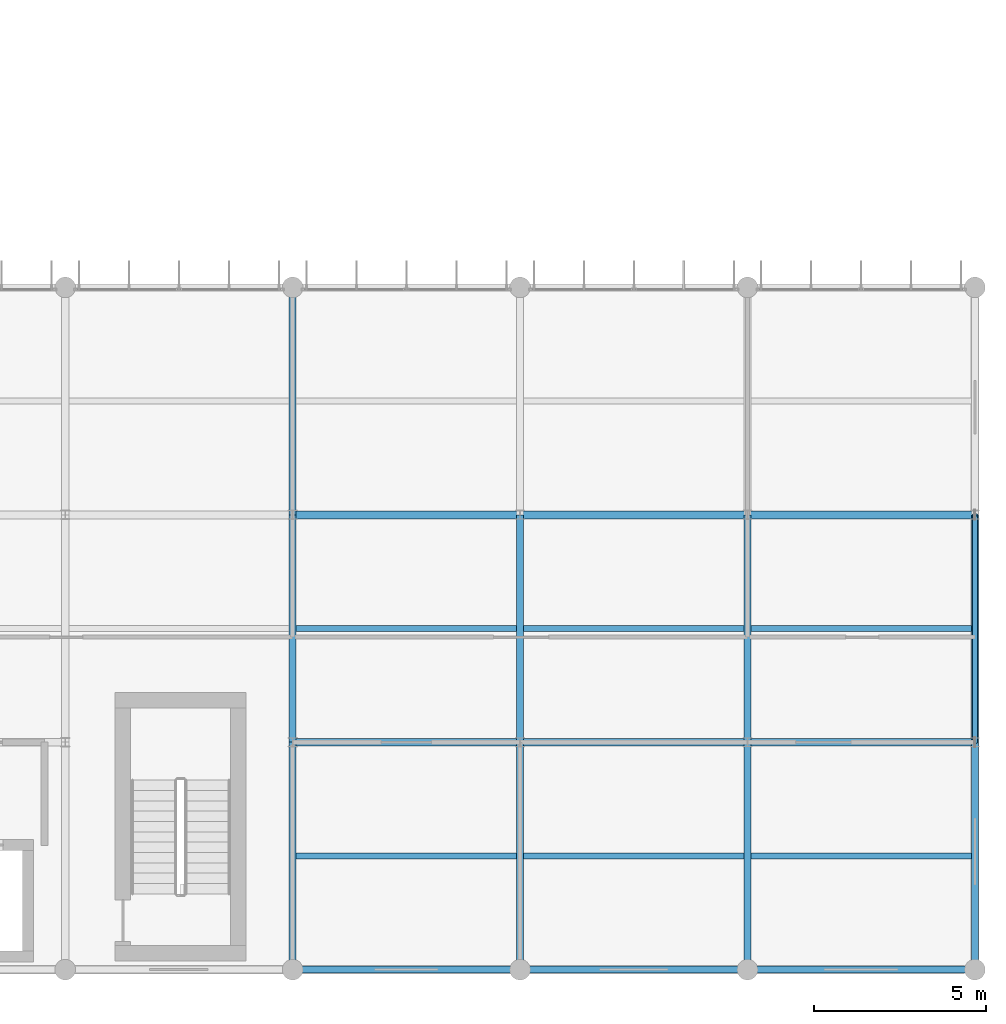
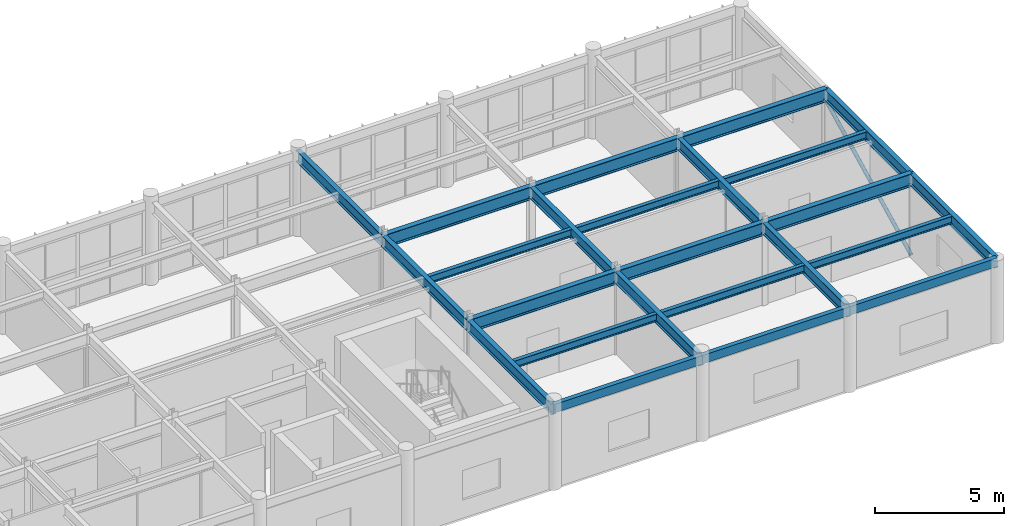
# One storey, part 41 of 66: 24 beams, 1 member.
"""IFC4 building model written with IfcOpenShell, lengths in metres."""

import ifcopenshell
import ifcopenshell.guid

model = None  # the IFC model being written
_history = None  # IfcOwnerHistory: only IFC2X3 demands one
_inside = {}  # id of a spatial element -> (the spatial element, [elements in it])
_under = {}  # id of a project, library or spatial element -> (it, [spatial elements below it])
_declared = {}  # id of a project -> (the project, [libraries it declares])
_typed = {}  # id of a type object -> (the type object, [elements of that type])
_made_of = {}  # id of a material, layer set ... -> (it, [elements and type objects made of it])


def new_model(schema):
    """Start an empty IFC model of exactly this schema.

    Asked for "IFC4X3", IfcOpenShell would pick the latest addendum, in which some entities
    have other attributes; the version numbers below select the first issue.
    IFC2X3 requires an IfcOwnerHistory on every rooted entity: one is made here for all.
    """
    global model, _history
    if schema == "IFC4X3":
        model = ifcopenshell.file(schema_version=(4, 3, 0, 0))
    else:
        model = ifcopenshell.file(schema=schema)
    _inside.clear()
    _under.clear()
    _declared.clear()
    _typed.clear()
    _made_of.clear()
    _history = None
    if model.schema == "IFC2X3":
        org = make("IfcOrganization", Name="unknown")
        user = make(
            "IfcPersonAndOrganization",
            ThePerson=make("IfcPerson", FamilyName="unknown"),
            TheOrganization=org,
        )
        app = make(
            "IfcApplication",
            ApplicationDeveloper=org,
            Version="unknown",
            ApplicationFullName="unknown",
            ApplicationIdentifier="unknown",
        )
        _history = make(
            "IfcOwnerHistory",
            OwningUser=user,
            OwningApplication=app,
            ChangeAction="ADDED",
            CreationDate=0,
        )
    return model


def make(cls, **values):
    """One entity of the class cls with the attributes given. An attribute that is None is left unset."""
    return model.create_entity(
        cls, **{name: value for name, value in values.items() if value is not None}
    )


def rooted(cls, **values):
    """An entity with a GlobalId (a new one), such as an element, a storey or a relation."""
    return make(cls, GlobalId=ifcopenshell.guid.new(), OwnerHistory=_history, **values)


def si_unit(unit_type, name, prefix=None):
    """IfcSIUnit, for example si_unit("LENGTHUNIT", "METRE", prefix="MILLI")."""
    return make("IfcSIUnit", UnitType=unit_type, Prefix=prefix, Name=name)


def assignment(units):
    """IfcUnitAssignment: the units of a project."""
    return None if units is None else make("IfcUnitAssignment", Units=units)


def point(xyz):
    """IfcCartesianPoint."""
    return None if xyz is None else make("IfcCartesianPoint", Coordinates=xyz)


def direction(xyz):
    """IfcDirection."""
    return None if xyz is None else make("IfcDirection", DirectionRatios=xyz)


def frame(location, z_axis=None, x_axis=None):
    """IfcAxis2Placement3D, a coordinate frame: its origin and axes. An axis left out is left unset."""
    return make(
        "IfcAxis2Placement3D",
        Location=point(location),
        Axis=direction(z_axis),
        RefDirection=direction(x_axis),
    )


def frame_2d(location, x_axis=None):
    """IfcAxis2Placement2D, a coordinate frame in the plane: its origin and x axis."""
    return make(
        "IfcAxis2Placement2D", Location=point(location), RefDirection=direction(x_axis)
    )


def origin():
    """The frame at (0, 0, 0) with its axes left unset."""
    return frame((0.0, 0.0, 0.0))


def origin_2d():
    """The frame at (0, 0) in the plane with its x axis left unset."""
    return frame_2d((0.0, 0.0))


def place(relative_to, where):
    """IfcLocalPlacement: puts the frame where relative to a parent placement (None: the world)."""
    return make(
        "IfcLocalPlacement", PlacementRelTo=relative_to, RelativePlacement=where
    )


def context(
    kind, dimensions, precision=None, world=None, true_north=None, identifier=None
):
    """IfcGeometricRepresentationContext, for example the 3D "Model" context."""
    return make(
        "IfcGeometricRepresentationContext",
        ContextIdentifier=identifier,
        ContextType=kind,
        CoordinateSpaceDimension=dimensions,
        Precision=precision,
        WorldCoordinateSystem=world,
        TrueNorth=true_north,
    )


def subcontext(parent, identifier, kind, view, scale=None):
    """IfcGeometricRepresentationSubContext, for example "Body" below "Model"."""
    return make(
        "IfcGeometricRepresentationSubContext",
        ContextIdentifier=identifier,
        ContextType=kind,
        ParentContext=parent,
        TargetScale=scale,
        TargetView=view,
    )


def project(units=None, contexts=None):
    """IfcProject with its units and contexts."""
    return rooted(
        "IfcProject",
        Name="project",
        RepresentationContexts=contexts,
        UnitsInContext=assignment(units),
    )


def spatial(cls, under=None, at=None, **own):
    """A site, building, storey or space (cls), placed at a placement, below another one or the project."""
    s = rooted(cls, ObjectPlacement=at, **own)
    if under is not None:
        _under.setdefault(under.id(), (under, []))[1].append(s)
    return s


def profile(cls, at=None, kind="AREA", **sizes):
    """A parametric profile (cls). Its sizes go by their IFC names, for example OverallWidth=200.0."""
    return make(cls, ProfileType=kind, Position=at, **sizes)


def hollow_rectangle(**sizes):
    """IfcRectangleHollowProfileDef."""
    return profile("IfcRectangleHollowProfileDef", **sizes)


def hollow_circle(**sizes):
    """IfcCircleHollowProfileDef."""
    return profile("IfcCircleHollowProfileDef", **sizes)


def i_section(**sizes):
    """IfcIShapeProfileDef."""
    return profile("IfcIShapeProfileDef", **sizes)


def extrude(swept, where, along, depth):
    """IfcExtrudedAreaSolid: the profile swept, set in the frame where, extruded along a direction by depth."""
    return make(
        "IfcExtrudedAreaSolid",
        SweptArea=swept,
        Position=where,
        ExtrudedDirection=direction(along),
        Depth=depth,
    )


def shape(context_of_items, identifier, shape_type, items):
    """IfcShapeRepresentation: the items that make up one representation, for example the "Body"."""
    return make(
        "IfcShapeRepresentation",
        ContextOfItems=context_of_items,
        RepresentationIdentifier=identifier,
        RepresentationType=shape_type,
        Items=items,
    )


def material(Name=None, Category=None):
    """IfcMaterial."""
    return make("IfcMaterial", Name=Name, Category=Category)


def material_profile(
    of_material, cross_section, Name=None, Category=None, Priority=None
):
    """IfcMaterialProfile: a cross section and its material."""
    return make(
        "IfcMaterialProfile",
        Name=Name,
        Material=of_material,
        Profile=cross_section,
        Priority=Priority,
        Category=Category,
    )


def profile_set(profiles, Name=None, composite=None):
    """IfcMaterialProfileSet."""
    return make(
        "IfcMaterialProfileSet",
        Name=Name,
        MaterialProfiles=profiles,
        CompositeProfile=composite,
    )


def made_of(thing, what):
    """Note that an element or type object is made of a material, layer set ...; save() writes the relation."""
    if what is not None:
        _made_of.setdefault(what.id(), (what, []))[1].append(thing)
    return thing


def type_object(cls, material=None, **own):
    """A type object (cls), such as IfcWallType, which elements share."""
    return made_of(rooted(cls, **own), material)


def element(
    cls,
    number,
    at=None,
    inside=None,
    cuts=None,
    type_object=None,
    material=None,
    context=None,
    identifier="Body",
    shape_type=None,
    held_by="IfcProductDefinitionShape",
    body=None,
    shapes=None,
    **own,
):
    """One element of the class cls, such as IfcWall. Its Tag is "e" and its number.

    at: its placement. inside: the storey or other place that contains it. cuts: it is an
    opening in that element (IfcRelVoidsElement). A single representation is given by context,
    identifier, shape_type and body (its items); several are given by shapes. held_by: the class
    of the entity that holds the representations. save() writes the other relations.
    """
    e = rooted(cls, Tag="e%d" % number, ObjectPlacement=at, **own)
    if body is not None:
        shapes = [shape(context, identifier, shape_type, body)]
    if shapes is not None:
        e.Representation = make(held_by, Representations=shapes)
    if inside is not None:
        _inside.setdefault(inside.id(), (inside, []))[1].append(e)
    if cuts is not None:
        rooted(
            "IfcRelVoidsElement", RelatingBuildingElement=cuts, RelatedOpeningElement=e
        )
    if type_object is not None:
        _typed.setdefault(type_object.id(), (type_object, []))[1].append(e)
    return made_of(e, material)


def aggregate(whole, parts):
    """IfcRelAggregates: a whole, such as a stair, and the parts it consists of."""
    return rooted("IfcRelAggregates", RelatingObject=whole, RelatedObjects=parts)


def save(model, path):
    """Write the relations noted so far, then the file.

    IfcRelAggregates (storeys below a building ...), IfcRelContainedInSpatialStructure (elements
    in a storey), IfcRelDefinesByType, IfcRelAssociatesMaterial and IfcRelDeclares: one each for
    every whole, place, type object, material and project.
    """
    for whole, parts in _under.values():
        aggregate(whole, parts)
    for where, things in _inside.values():
        rooted(
            "IfcRelContainedInSpatialStructure",
            RelatedElements=things,
            RelatingStructure=where,
        )
    for kind, things in _typed.values():
        rooted("IfcRelDefinesByType", RelatedObjects=things, RelatingType=kind)
    for what, things in _made_of.values():
        rooted("IfcRelAssociatesMaterial", RelatedObjects=things, RelatingMaterial=what)
    for by, libraries in _declared.values():
        rooted("IfcRelDeclares", RelatingContext=by, RelatedDefinitions=libraries)
    model.write(path)


model = new_model("IFC4")

# Units and contexts
model_context = context("Model", 3, precision=1e-05, world=origin(), true_north=direction((0.0, 1.0)))
body_context = subcontext(model_context, "Body", "Model", "MODEL_VIEW")
ifc_project = project(units=[si_unit("LENGTHUNIT", "METRE"), si_unit("AREAUNIT", "SQUARE_METRE"), si_unit("VOLUMEUNIT", "CUBIC_METRE"), si_unit("PLANEANGLEUNIT", "RADIAN"), si_unit("MASSUNIT", "GRAM", prefix="KILO")], contexts=[model_context])

# Site, building, storey
site_placement = place(None, origin())
site = spatial("IfcSite", under=ifc_project, at=site_placement, CompositionType="ELEMENT")
building_placement = place(site_placement, origin())
building = spatial("IfcBuilding", under=site, at=building_placement, Name="Karori Crest Natural Sciences Institute", CompositionType="ELEMENT")
storey_placement = place(building_placement, frame((0.0, 0.0, 30.10009765625)))
storey = spatial("IfcBuildingStorey", under=building, at=storey_placement, Name="L07", CompositionType="ELEMENT", Elevation=30.10009765625)

# Beams
ifc_material_1 = material(Name="Structural steel AS/NZS 3679.1 Grade 350", Category="steel")
ifc_material_profile_1 = material_profile(ifc_material_1, i_section(OverallWidth=0.22900390625, OverallDepth=0.612060546875, WebThickness=0.011962890625, FlangeThickness=0.01953125, FilletRadius=0.013916015625, at=origin_2d()), Name="610UB125")
ifc_profile_set_1 = profile_set([ifc_material_profile_1], Name="Structural steel AS/NZS 3679.1 Grade 350")
beam_type_1 = type_object("IfcBeamType", Name="BT-04", PredefinedType="BEAM", material=ifc_profile_set_1)
beam_1_placement = place(storey_placement, frame((136.60009765625, 7.39990234375, 3.614013671875), z_axis=(1.0, 0.0, 0.0), x_axis=(0.0, 1.0, 0.0)))
element("IfcBeam", 1, at=beam_1_placement, inside=storey, type_object=beam_type_1, Name="Beam B-2629", PredefinedType="BEAM", context=body_context, shape_type="SweptSolid", body=[
    extrude(i_section(OverallWidth=0.22900390625, OverallDepth=0.612060546875, WebThickness=0.011962890625, FlangeThickness=0.01953125, FilletRadius=0.013916015625, at=origin_2d()), origin(), (0.0, 0.0, 1.0), 6.599853515625),
])
beam_2_placement = place(storey_placement, frame((143.199951171875, 7.39990234375, 3.614013671875), z_axis=(1.0, 0.0, 0.0), x_axis=(0.0, 1.0, 0.0)))
element("IfcBeam", 2, at=beam_2_placement, inside=storey, type_object=beam_type_1, Name="Beam B-2630", PredefinedType="BEAM", context=body_context, shape_type="SweptSolid", body=[
    extrude(i_section(OverallWidth=0.22900390625, OverallDepth=0.612060546875, WebThickness=0.011962890625, FlangeThickness=0.01953125, FilletRadius=0.013916015625, at=origin_2d()), origin(), (0.0, 0.0, 1.0), 6.60009765625),
])
for number, where, z_axis, x_axis, name in (
    (3, (149.800048828125, 7.39990234375, 3.614013671875), (1.0, 0.0, 0.0), (0.0, 1.0, 0.0), "Beam B-2631"),
    (4, (136.60009765625, 14.0, 3.614013671875), (1.0, 0.0, 0.0), (0.0, 1.0, 0.0), "Beam B-2637"),
):
    element("IfcBeam", number, at=place(storey_placement, frame(where, z_axis=z_axis, x_axis=x_axis)), inside=storey, type_object=beam_type_1, Name=name, PredefinedType="BEAM", context=body_context, shape_type="SweptSolid", body=[
        extrude(i_section(OverallWidth=0.22900390625, OverallDepth=0.612060546875, WebThickness=0.011962890625, FlangeThickness=0.01953125, FilletRadius=0.013916015625, at=origin_2d()), origin(), (0.0, 0.0, 1.0), 6.599853515625),
    ])
beam_3_placement = place(storey_placement, frame((143.199951171875, 14.0, 3.614013671875), z_axis=(1.0, 0.0, 0.0), x_axis=(0.0, 1.0, 0.0)))
element("IfcBeam", 5, at=beam_3_placement, inside=storey, type_object=beam_type_1, Name="Beam B-2638", PredefinedType="BEAM", context=body_context, shape_type="SweptSolid", body=[
    extrude(i_section(OverallWidth=0.22900390625, OverallDepth=0.612060546875, WebThickness=0.011962890625, FlangeThickness=0.01953125, FilletRadius=0.013916015625, at=origin_2d()), origin(), (0.0, 0.0, 1.0), 6.60009765625),
])
beam_4_placement = place(storey_placement, frame((149.800048828125, 14.0, 3.614013671875), z_axis=(1.0, 0.0, 0.0), x_axis=(0.0, 1.0, 0.0)))
element("IfcBeam", 6, at=beam_4_placement, inside=storey, type_object=beam_type_1, Name="Beam B-2639", PredefinedType="BEAM", context=body_context, shape_type="SweptSolid", body=[
    extrude(i_section(OverallWidth=0.22900390625, OverallDepth=0.612060546875, WebThickness=0.011962890625, FlangeThickness=0.01953125, FilletRadius=0.013916015625, at=origin_2d()), origin(), (0.0, 0.0, 1.0), 6.599853515625),
])
ifc_material_profile_2 = material_profile(ifc_material_1, i_section(OverallWidth=0.208984375, OverallDepth=0.532958984375, WebThickness=0.01025390625, FlangeThickness=0.015625, FilletRadius=0.013916015625, at=origin_2d()), Name="530UB92.4")
ifc_profile_set_2 = profile_set([ifc_material_profile_2], Name="Structural steel AS/NZS 3679.1 Grade 350")
beam_type_2 = type_object("IfcBeamType", Name="BT-05", PredefinedType="BEAM", material=ifc_profile_set_2)
beam_5_placement = place(storey_placement, frame((136.60009765625, 0.800048828125, 3.6533203125), z_axis=(0.0, 1.0, 0.0), x_axis=(-1.0, 0.0, 0.0)))
element("IfcBeam", 7, at=beam_5_placement, inside=storey, type_object=beam_type_2, Name="Beam B-2663", PredefinedType="BEAM", context=body_context, shape_type="SweptSolid", body=[
    extrude(i_section(OverallWidth=0.208984375, OverallDepth=0.532958984375, WebThickness=0.01025390625, FlangeThickness=0.015625, FilletRadius=0.013916015625, at=origin_2d()), origin(), (0.0, 0.0, 1.0), 6.599853515625),
])
for number, where, z_axis, x_axis, name in (
    (8, (136.60009765625, 7.39990234375, 3.6533203125), (0.0, 1.0, 0.0), (-1.0, 0.0, 0.0), "Beam B-2664"),
    (9, (136.60009765625, 14.0, 3.6533203125), (0.0, 1.0, 0.0), (-1.0, 0.0, 0.0), "Beam B-2665"),
):
    element("IfcBeam", number, at=place(storey_placement, frame(where, z_axis=z_axis, x_axis=x_axis)), inside=storey, type_object=beam_type_2, Name=name, PredefinedType="BEAM", context=body_context, shape_type="SweptSolid", body=[
        extrude(i_section(OverallWidth=0.208984375, OverallDepth=0.532958984375, WebThickness=0.01025390625, FlangeThickness=0.015625, FilletRadius=0.013916015625, at=origin_2d()), origin(), (0.0, 0.0, 1.0), 6.60009765625),
    ])
beam_6_placement = place(storey_placement, frame((143.199951171875, 0.800048828125, 3.6533203125), z_axis=(0.0, 1.0, 0.0), x_axis=(-1.0, 0.0, 0.0)))
element("IfcBeam", 10, at=beam_6_placement, inside=storey, type_object=beam_type_2, Name="Beam B-2666", PredefinedType="BEAM", context=body_context, shape_type="SweptSolid", body=[
    extrude(i_section(OverallWidth=0.208984375, OverallDepth=0.532958984375, WebThickness=0.01025390625, FlangeThickness=0.015625, FilletRadius=0.013916015625, at=origin_2d()), origin(), (0.0, 0.0, 1.0), 6.599853515625),
])
beam_7_placement = place(storey_placement, frame((143.199951171875, 7.39990234375, 3.6533203125), z_axis=(0.0, 1.0, 0.0), x_axis=(-1.0, 0.0, 0.0)))
element("IfcBeam", 11, at=beam_7_placement, inside=storey, type_object=beam_type_2, Name="Beam B-2667", PredefinedType="BEAM", context=body_context, shape_type="SweptSolid", body=[
    extrude(i_section(OverallWidth=0.208984375, OverallDepth=0.532958984375, WebThickness=0.01025390625, FlangeThickness=0.015625, FilletRadius=0.013916015625, at=origin_2d()), origin(), (0.0, 0.0, 1.0), 6.60009765625),
])
beam_8_placement = place(storey_placement, frame((149.800048828125, 0.800048828125, 3.6533203125), z_axis=(0.0, 1.0, 0.0), x_axis=(-1.0, 0.0, 0.0)))
element("IfcBeam", 12, at=beam_8_placement, inside=storey, type_object=beam_type_2, Name="Beam B-2669", PredefinedType="BEAM", context=body_context, shape_type="SweptSolid", body=[
    extrude(i_section(OverallWidth=0.208984375, OverallDepth=0.532958984375, WebThickness=0.01025390625, FlangeThickness=0.015625, FilletRadius=0.013916015625, at=origin_2d()), origin(), (0.0, 0.0, 1.0), 6.599853515625),
])
beam_9_placement = place(storey_placement, frame((149.800048828125, 7.39990234375, 3.6533203125), z_axis=(0.0, 1.0, 0.0), x_axis=(-1.0, 0.0, 0.0)))
element("IfcBeam", 13, at=beam_9_placement, inside=storey, type_object=beam_type_2, Name="Beam B-2670", PredefinedType="BEAM", context=body_context, shape_type="SweptSolid", body=[
    extrude(i_section(OverallWidth=0.208984375, OverallDepth=0.532958984375, WebThickness=0.01025390625, FlangeThickness=0.015625, FilletRadius=0.013916015625, at=origin_2d()), origin(), (0.0, 0.0, 1.0), 6.60009765625),
])
ifc_material_profile_3 = material_profile(ifc_material_1, i_section(OverallWidth=0.208984375, OverallDepth=0.532958984375, WebThickness=0.01025390625, FlangeThickness=0.015625, FilletRadius=0.013916015625, at=origin_2d()), Name="530UB92.4")
ifc_profile_set_3 = profile_set([ifc_material_profile_3], Name="Structural steel AS/NZS 3679.1 Grade 350")
beam_type_3 = type_object("IfcBeamType", Name="BT-05-EL", PredefinedType="BEAM", material=ifc_profile_set_3)
beam_10_placement = place(storey_placement, frame((156.39990234375, 0.800048828125, 3.6533203125), z_axis=(0.0, 1.0, 0.0), x_axis=(-1.0, 0.0, 0.0)))
element("IfcBeam", 14, at=beam_10_placement, inside=storey, type_object=beam_type_3, Name="Beam B-2672", PredefinedType="BEAM", context=body_context, shape_type="SweptSolid", body=[
    extrude(i_section(OverallWidth=0.208984375, OverallDepth=0.532958984375, WebThickness=0.01025390625, FlangeThickness=0.015625, FilletRadius=0.013916015625, at=origin_2d()), origin(), (0.0, 0.0, 1.0), 6.599853515625),
])
beam_11_placement = place(storey_placement, frame((156.39990234375, 7.39990234375, 3.6533203125), z_axis=(0.0, 1.0, 0.0), x_axis=(-1.0, 0.0, 0.0)))
element("IfcBeam", 15, at=beam_11_placement, inside=storey, type_object=beam_type_3, Name="Beam B-2673", PredefinedType="BEAM", context=body_context, shape_type="SweptSolid", body=[
    extrude(i_section(OverallWidth=0.208984375, OverallDepth=0.532958984375, WebThickness=0.01025390625, FlangeThickness=0.015625, FilletRadius=0.013916015625, at=origin_2d()), origin(), (0.0, 0.0, 1.0), 6.60009765625),
])
ifc_material_profile_4 = material_profile(ifc_material_1, i_section(OverallWidth=0.172119140625, OverallDepth=0.35888671875, WebThickness=0.008056640625, FlangeThickness=0.012939453125, FilletRadius=0.010986328125, at=origin_2d()), Name="360UB56.7")
ifc_profile_set_4 = profile_set([ifc_material_profile_4], Name="Structural steel AS/NZS 3679.1 Grade 350")
beam_type_4 = type_object("IfcBeamType", Name="BT-08", PredefinedType="BEAM", material=ifc_profile_set_4)
for number, where, z_axis, x_axis, name in (
    (16, (136.70458984375, 4.10009765625, 3.740478515625), (1.0, 0.0, 0.0), (0.0, 1.0, 0.0), "Beam B-2686"),
    (17, (136.70458984375, 10.699951171875, 3.740478515625), (1.0, 0.0, 0.0), (0.0, 1.0, 0.0), "Beam B-2687"),
):
    element("IfcBeam", number, at=place(storey_placement, frame(where, z_axis=z_axis, x_axis=x_axis)), inside=storey, type_object=beam_type_4, Name=name, PredefinedType="BEAM", context=body_context, shape_type="SweptSolid", body=[
        extrude(i_section(OverallWidth=0.172119140625, OverallDepth=0.35888671875, WebThickness=0.008056640625, FlangeThickness=0.012939453125, FilletRadius=0.010986328125, at=origin_2d()), origin(), (0.0, 0.0, 1.0), 6.390869140625),
    ])
for number, where, z_axis, x_axis, name in (
    (18, (143.304443359375, 4.10009765625, 3.740478515625), (1.0, 0.0, 0.0), (0.0, 1.0, 0.0), "Beam B-2689"),
    (19, (143.304443359375, 10.699951171875, 3.740478515625), (1.0, 0.0, 0.0), (0.0, 1.0, 0.0), "Beam B-2690"),
):
    element("IfcBeam", number, at=place(storey_placement, frame(where, z_axis=z_axis, x_axis=x_axis)), inside=storey, type_object=beam_type_4, Name=name, PredefinedType="BEAM", context=body_context, shape_type="SweptSolid", body=[
        extrude(i_section(OverallWidth=0.172119140625, OverallDepth=0.35888671875, WebThickness=0.008056640625, FlangeThickness=0.012939453125, FilletRadius=0.010986328125, at=origin_2d()), origin(), (0.0, 0.0, 1.0), 6.39111328125),
    ])
for number, where, z_axis, x_axis, name in (
    (20, (149.904541015625, 4.10009765625, 3.740478515625), (1.0, 0.0, 0.0), (0.0, 1.0, 0.0), "Beam B-2692"),
    (21, (149.904541015625, 10.699951171875, 3.740478515625), (1.0, 0.0, 0.0), (0.0, 1.0, 0.0), "Beam B-2693"),
):
    element("IfcBeam", number, at=place(storey_placement, frame(where, z_axis=z_axis, x_axis=x_axis)), inside=storey, type_object=beam_type_4, Name=name, PredefinedType="BEAM", context=body_context, shape_type="SweptSolid", body=[
        extrude(i_section(OverallWidth=0.172119140625, OverallDepth=0.35888671875, WebThickness=0.008056640625, FlangeThickness=0.012939453125, FilletRadius=0.010986328125, at=origin_2d()), origin(), (0.0, 0.0, 1.0), 6.390869140625),
    ])
ifc_material_2 = material(Name="Hollow structural steel AS/NZS 1163 Grade C350", Category="steel")
ifc_material_profile_5 = material_profile(ifc_material_2, hollow_rectangle(XDim=0.199951171875, YDim=0.39990234375, WallThickness=0.012451171875, at=origin_2d()), Name="RHS400x200x12.5")
ifc_profile_set_5 = profile_set([ifc_material_profile_5], Name="Hollow structural steel AS/NZS 1163 Grade C350")
beam_type_5 = type_object("IfcBeamType", Name="BT-14", PredefinedType="SPANDREL", material=ifc_profile_set_5)
beam_12_placement = place(storey_placement, frame((136.60009765625, 0.800048828125, 3.719970703125), z_axis=(1.0, 0.0, 0.0), x_axis=(0.0, 1.0, 0.0)))
element("IfcBeam", 22, at=beam_12_placement, inside=storey, type_object=beam_type_5, Name="Beam B-2623", PredefinedType="SPANDREL", context=body_context, shape_type="SweptSolid", body=[
    extrude(hollow_rectangle(XDim=0.199951171875, YDim=0.39990234375, WallThickness=0.012451171875, at=origin_2d()), origin(), (0.0, 0.0, 1.0), 6.599853515625),
])
beam_13_placement = place(storey_placement, frame((143.199951171875, 0.800048828125, 3.719970703125), z_axis=(1.0, 0.0, 0.0), x_axis=(0.0, 1.0, 0.0)))
element("IfcBeam", 23, at=beam_13_placement, inside=storey, type_object=beam_type_5, Name="Beam B-2624", PredefinedType="SPANDREL", context=body_context, shape_type="SweptSolid", body=[
    extrude(hollow_rectangle(XDim=0.199951171875, YDim=0.39990234375, WallThickness=0.012451171875, at=origin_2d()), origin(), (0.0, 0.0, 1.0), 6.60009765625),
])
beam_14_placement = place(storey_placement, frame((149.800048828125, 0.800048828125, 3.719970703125), z_axis=(1.0, 0.0, 0.0), x_axis=(0.0, 1.0, 0.0)))
element("IfcBeam", 24, at=beam_14_placement, inside=storey, type_object=beam_type_5, Name="Beam B-2625", PredefinedType="SPANDREL", context=body_context, shape_type="SweptSolid", body=[
    extrude(hollow_rectangle(XDim=0.199951171875, YDim=0.39990234375, WallThickness=0.012451171875, at=origin_2d()), origin(), (0.0, 0.0, 1.0), 6.599853515625),
])

# Member
ifc_material_profile_6 = material_profile(ifc_material_2, hollow_circle(Radius=0.084228515625, WallThickness=0.007080078125, at=origin_2d()), Name="CHS168.3x7.1")
ifc_profile_set_6 = profile_set([ifc_material_profile_6], Name="Hollow structural steel AS/NZS 1163 Grade C350")
member_type = type_object("IfcMemberType", Name="MT-03", PredefinedType="BRACE", material=ifc_profile_set_6)
member_placement = place(storey_placement, frame((156.39990234375, 7.39990234375, 0.010009765625), z_axis=(0.0, 0.894003499504, 0.448059976873), x_axis=(-1.0, 0.0, 0.0)))
element("IfcMember", 25, at=member_placement, inside=storey, type_object=member_type, Name="Diagonal Brace M-0454", PredefinedType="BRACE", context=body_context, shape_type="SweptSolid", body=[
    extrude(hollow_circle(Radius=0.084228515625, WallThickness=0.007080078125, at=origin_2d()), origin(), (0.0, 0.0, 1.0), 7.382568359375),
])

save(model, "model.ifc")
